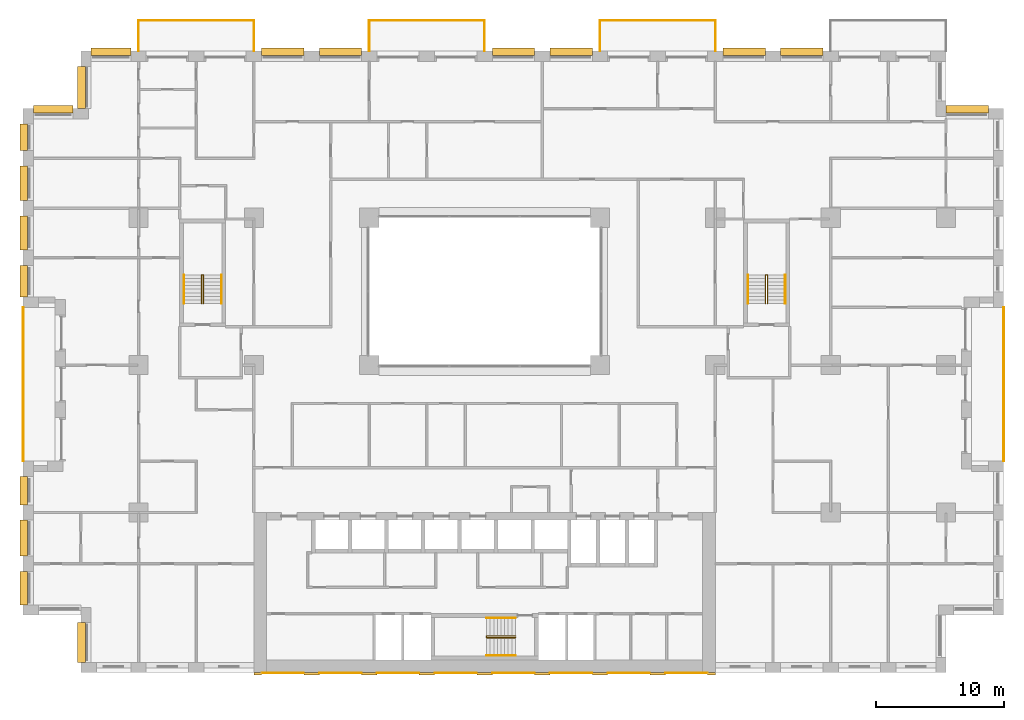
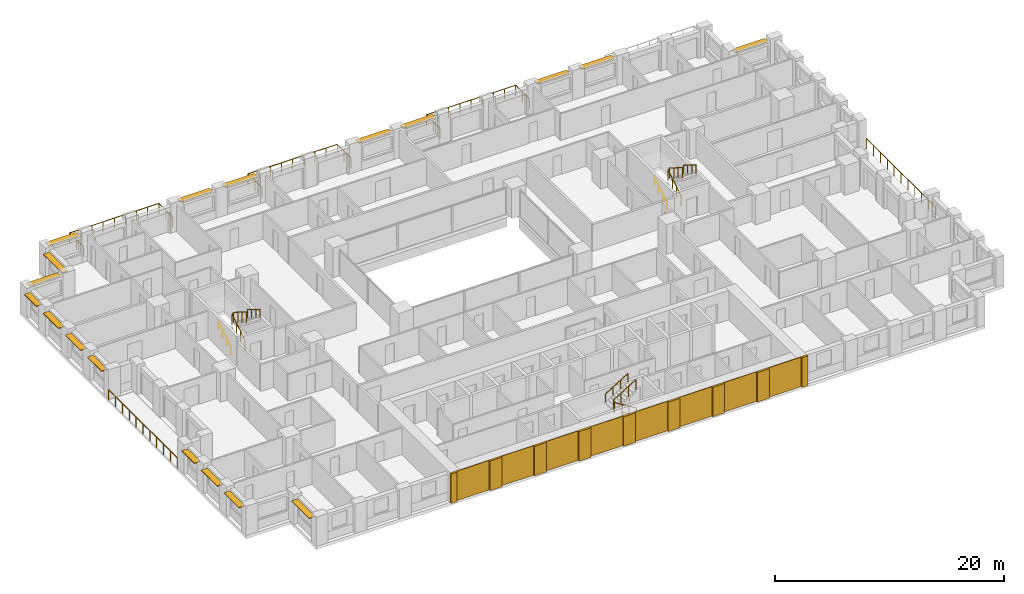
# One storey, part 19 of 20: 18 shading devices, 17 coverings, 14 railings.
"""IFC4 building model written with IfcOpenShell, lengths in metres."""

from ifc_helpers import new_model, si_unit, direction, frame, origin, origin_2d, place, context, subcontext, project, spatial, rectangle, circle, extrude, material, layer, layer_set, type_object, element, save


model = new_model("IFC4")

# Units and contexts
model_context = context("Model", 3, precision=1e-05, world=origin(), true_north=direction((0.0, 1.0)))
body_context = subcontext(model_context, "Body", "Model", "MODEL_VIEW")
ifc_project = project(units=[si_unit("LENGTHUNIT", "METRE"), si_unit("AREAUNIT", "SQUARE_METRE"), si_unit("VOLUMEUNIT", "CUBIC_METRE"), si_unit("PLANEANGLEUNIT", "RADIAN"), si_unit("MASSUNIT", "GRAM", prefix="KILO")], contexts=[model_context])

# Site, building, storey
site_placement = place(None, origin())
site = spatial("IfcSite", under=ifc_project, at=site_placement, CompositionType="ELEMENT")
building_placement = place(site_placement, origin())
building = spatial("IfcBuilding", under=site, at=building_placement, Name="Brigalow Station Residences", CompositionType="ELEMENT")
storey_placement = place(building_placement, frame((0.0, 0.0, 60.449951171875)))
storey = spatial("IfcBuildingStorey", under=building, at=storey_placement, Name="L17", CompositionType="ELEMENT", Elevation=60.449951171875)

# Railings
ifc_material_1 = material(Name="Stainless steel balustrade with laminated glass infill", Category="steel")
railing_type_1 = type_object("IfcRailingType", Name="BALCONY GUARD 1100", PredefinedType="GUARDRAIL", material=ifc_material_1)
railing_1_placement = place(storey_placement, frame((76.5, 16.5, -0.0400390625)))
element("IfcRailing", 1, at=railing_1_placement, inside=storey, type_object=railing_type_1, Name="L17/balcony-guard/1", PredefinedType="GUARDRAIL", context=body_context, shape_type="SweptSolid", body=[
    extrude(circle(Radius=0.02392578125, at=origin_2d()), frame((0.0, 0.0, 1.076171875), z_axis=(0.0, 1.0, 0.0), x_axis=(-1.0, 0.0, 0.0)), (0.0, 0.0, 1.0), 12.0),
    extrude(circle(Radius=0.02099609375, at=origin_2d()), origin(), (0.0, 0.0, 1.0), 1.052001953125),
    extrude(circle(Radius=0.02099609375, at=origin_2d()), frame((0.0, 1.199951171875, 0.0)), (0.0, 0.0, 1.0), 1.052001953125),
    extrude(circle(Radius=0.02099609375, at=origin_2d()), frame((0.0, 2.39990234375, 0.0)), (0.0, 0.0, 1.0), 1.052001953125),
    extrude(circle(Radius=0.02099609375, at=origin_2d()), frame((0.0, 3.60009765625, 0.0)), (0.0, 0.0, 1.0), 1.052001953125),
    extrude(circle(Radius=0.02099609375, at=origin_2d()), frame((0.0, 4.800048828125, 0.0)), (0.0, 0.0, 1.0), 1.052001953125),
    extrude(circle(Radius=0.02099609375, at=origin_2d()), frame((0.0, 6.0, 0.0)), (0.0, 0.0, 1.0), 1.052001953125),
    extrude(circle(Radius=0.02099609375, at=origin_2d()), frame((0.0, 7.199951171875, 0.0)), (0.0, 0.0, 1.0), 1.052001953125),
    extrude(circle(Radius=0.02099609375, at=origin_2d()), frame((0.0, 8.39990234375, 0.0)), (0.0, 0.0, 1.0), 1.052001953125),
    extrude(circle(Radius=0.02099609375, at=origin_2d()), frame((0.0, 9.60009765625, 0.0)), (0.0, 0.0, 1.0), 1.052001953125),
    extrude(circle(Radius=0.02099609375, at=origin_2d()), frame((0.0, 10.800048828125, 0.0)), (0.0, 0.0, 1.0), 1.052001953125),
    extrude(circle(Radius=0.02099609375, at=origin_2d()), frame((0.0, 12.0, 0.0)), (0.0, 0.0, 1.0), 1.052001953125),
])
railing_2_placement = place(storey_placement, frame((54.0, 48.5, -0.0400390625)))
element("IfcRailing", 2, at=railing_2_placement, inside=storey, type_object=railing_type_1, Name="L17/balcony-guard/3", PredefinedType="GUARDRAIL", context=body_context, shape_type="SweptSolid", body=[
    extrude(circle(Radius=0.02392578125, at=origin_2d()), frame((0.0, 0.0, 1.076171875), z_axis=(0.0, 1.0, 0.0), x_axis=(-1.0, 0.0, 0.0)), (0.0, 0.0, 1.0), 2.39990234375),
    extrude(circle(Radius=0.02392578125, at=origin_2d()), frame((0.0, 2.39990234375, 1.076171875), z_axis=(-1.0, 0.0, 0.0), x_axis=(0.0, -1.0, 0.0)), (0.0, 0.0, 1.0), 9.0),
    extrude(circle(Radius=0.02392578125, at=origin_2d()), frame((-9.0, 2.39990234375, 1.076171875), z_axis=(0.0, -1.0, 0.0), x_axis=(1.0, 0.0, 0.0)), (0.0, 0.0, 1.0), 2.39990234375),
    extrude(circle(Radius=0.02099609375, at=origin_2d()), origin(), (0.0, 0.0, 1.0), 1.052001953125),
    extrude(circle(Radius=0.02099609375, at=origin_2d()), frame((0.0, 1.199951171875, 0.0)), (0.0, 0.0, 1.0), 1.052001953125),
    extrude(circle(Radius=0.02099609375, at=origin_2d()), frame((0.0, 2.39990234375, 0.0)), (0.0, 0.0, 1.0), 1.052001953125),
    extrude(circle(Radius=0.02099609375, at=origin_2d()), frame((-1.125, 2.39990234375, 0.0)), (0.0, 0.0, 1.0), 1.052001953125),
    extrude(circle(Radius=0.02099609375, at=origin_2d()), frame((-2.25, 2.39990234375, 0.0)), (0.0, 0.0, 1.0), 1.052001953125),
    extrude(circle(Radius=0.02099609375, at=origin_2d()), frame((-3.375, 2.39990234375, 0.0)), (0.0, 0.0, 1.0), 1.052001953125),
    extrude(circle(Radius=0.02099609375, at=origin_2d()), frame((-4.5, 2.39990234375, 0.0)), (0.0, 0.0, 1.0), 1.052001953125),
    extrude(circle(Radius=0.02099609375, at=origin_2d()), frame((-5.625, 2.39990234375, 0.0)), (0.0, 0.0, 1.0), 1.052001953125),
    extrude(circle(Radius=0.02099609375, at=origin_2d()), frame((-6.75, 2.39990234375, 0.0)), (0.0, 0.0, 1.0), 1.052001953125),
    extrude(circle(Radius=0.02099609375, at=origin_2d()), frame((-7.875, 2.39990234375, 0.0)), (0.0, 0.0, 1.0), 1.052001953125),
    extrude(circle(Radius=0.02099609375, at=origin_2d()), frame((-9.0, 2.39990234375, 0.0)), (0.0, 0.0, 1.0), 1.052001953125),
    extrude(circle(Radius=0.02099609375, at=origin_2d()), frame((-9.0, 1.199951171875, 0.0)), (0.0, 0.0, 1.0), 1.052001953125),
    extrude(circle(Radius=0.02099609375, at=origin_2d()), frame((-9.0, 0.0, 0.0)), (0.0, 0.0, 1.0), 1.052001953125),
])
railing_3_placement = place(storey_placement, frame((36.0, 48.5, -0.0400390625)))
element("IfcRailing", 3, at=railing_3_placement, inside=storey, type_object=railing_type_1, Name="L17/balcony-guard/4", PredefinedType="GUARDRAIL", context=body_context, shape_type="SweptSolid", body=[
    extrude(circle(Radius=0.02392578125, at=origin_2d()), frame((0.0, 0.0, 1.076171875), z_axis=(0.0, 1.0, 0.0), x_axis=(-1.0, 0.0, 0.0)), (0.0, 0.0, 1.0), 2.39990234375),
    extrude(circle(Radius=0.02392578125, at=origin_2d()), frame((0.0, 2.39990234375, 1.076171875), z_axis=(-1.0, 0.0, 0.0), x_axis=(0.0, -1.0, 0.0)), (0.0, 0.0, 1.0), 9.0),
    extrude(circle(Radius=0.02392578125, at=origin_2d()), frame((-9.0, 2.39990234375, 1.076171875), z_axis=(0.0, -1.0, 0.0), x_axis=(1.0, 0.0, 0.0)), (0.0, 0.0, 1.0), 2.39990234375),
    extrude(circle(Radius=0.02099609375, at=origin_2d()), origin(), (0.0, 0.0, 1.0), 1.052001953125),
    extrude(circle(Radius=0.02099609375, at=origin_2d()), frame((0.0, 1.199951171875, 0.0)), (0.0, 0.0, 1.0), 1.052001953125),
    extrude(circle(Radius=0.02099609375, at=origin_2d()), frame((0.0, 2.39990234375, 0.0)), (0.0, 0.0, 1.0), 1.052001953125),
    extrude(circle(Radius=0.02099609375, at=origin_2d()), frame((-1.125, 2.39990234375, 0.0)), (0.0, 0.0, 1.0), 1.052001953125),
    extrude(circle(Radius=0.02099609375, at=origin_2d()), frame((-2.25, 2.39990234375, 0.0)), (0.0, 0.0, 1.0), 1.052001953125),
    extrude(circle(Radius=0.02099609375, at=origin_2d()), frame((-3.375, 2.39990234375, 0.0)), (0.0, 0.0, 1.0), 1.052001953125),
    extrude(circle(Radius=0.02099609375, at=origin_2d()), frame((-4.5, 2.39990234375, 0.0)), (0.0, 0.0, 1.0), 1.052001953125),
    extrude(circle(Radius=0.02099609375, at=origin_2d()), frame((-5.625, 2.39990234375, 0.0)), (0.0, 0.0, 1.0), 1.052001953125),
    extrude(circle(Radius=0.02099609375, at=origin_2d()), frame((-6.75, 2.39990234375, 0.0)), (0.0, 0.0, 1.0), 1.052001953125),
    extrude(circle(Radius=0.02099609375, at=origin_2d()), frame((-7.875, 2.39990234375, 0.0)), (0.0, 0.0, 1.0), 1.052001953125),
    extrude(circle(Radius=0.02099609375, at=origin_2d()), frame((-9.0, 2.39990234375, 0.0)), (0.0, 0.0, 1.0), 1.052001953125),
    extrude(circle(Radius=0.02099609375, at=origin_2d()), frame((-9.0, 1.199951171875, 0.0)), (0.0, 0.0, 1.0), 1.052001953125),
    extrude(circle(Radius=0.02099609375, at=origin_2d()), frame((-9.0, 0.0, 0.0)), (0.0, 0.0, 1.0), 1.052001953125),
])
railing_4_placement = place(storey_placement, frame((18.0, 48.5, -0.0400390625)))
element("IfcRailing", 4, at=railing_4_placement, inside=storey, type_object=railing_type_1, Name="L17/balcony-guard/5", PredefinedType="GUARDRAIL", context=body_context, shape_type="SweptSolid", body=[
    extrude(circle(Radius=0.02392578125, at=origin_2d()), frame((0.0, 0.0, 1.076171875), z_axis=(0.0, 1.0, 0.0), x_axis=(-1.0, 0.0, 0.0)), (0.0, 0.0, 1.0), 2.39990234375),
    extrude(circle(Radius=0.02392578125, at=origin_2d()), frame((0.0, 2.39990234375, 1.076171875), z_axis=(-1.0, 0.0, 0.0), x_axis=(0.0, -1.0, 0.0)), (0.0, 0.0, 1.0), 9.0),
    extrude(circle(Radius=0.02392578125, at=origin_2d()), frame((-9.0, 2.39990234375, 1.076171875), z_axis=(0.0, -1.0, 0.0), x_axis=(1.0, 0.0, 0.0)), (0.0, 0.0, 1.0), 2.39990234375),
    extrude(circle(Radius=0.02099609375, at=origin_2d()), origin(), (0.0, 0.0, 1.0), 1.052001953125),
    extrude(circle(Radius=0.02099609375, at=origin_2d()), frame((0.0, 1.199951171875, 0.0)), (0.0, 0.0, 1.0), 1.052001953125),
    extrude(circle(Radius=0.02099609375, at=origin_2d()), frame((0.0, 2.39990234375, 0.0)), (0.0, 0.0, 1.0), 1.052001953125),
    extrude(circle(Radius=0.02099609375, at=origin_2d()), frame((-1.125, 2.39990234375, 0.0)), (0.0, 0.0, 1.0), 1.052001953125),
    extrude(circle(Radius=0.02099609375, at=origin_2d()), frame((-2.25, 2.39990234375, 0.0)), (0.0, 0.0, 1.0), 1.052001953125),
    extrude(circle(Radius=0.02099609375, at=origin_2d()), frame((-3.375, 2.39990234375, 0.0)), (0.0, 0.0, 1.0), 1.052001953125),
    extrude(circle(Radius=0.02099609375, at=origin_2d()), frame((-4.5, 2.39990234375, 0.0)), (0.0, 0.0, 1.0), 1.052001953125),
    extrude(circle(Radius=0.02099609375, at=origin_2d()), frame((-5.625, 2.39990234375, 0.0)), (0.0, 0.0, 1.0), 1.052001953125),
    extrude(circle(Radius=0.02099609375, at=origin_2d()), frame((-6.75, 2.39990234375, 0.0)), (0.0, 0.0, 1.0), 1.052001953125),
    extrude(circle(Radius=0.02099609375, at=origin_2d()), frame((-7.875, 2.39990234375, 0.0)), (0.0, 0.0, 1.0), 1.052001953125),
    extrude(circle(Radius=0.02099609375, at=origin_2d()), frame((-9.0, 2.39990234375, 0.0)), (0.0, 0.0, 1.0), 1.052001953125),
    extrude(circle(Radius=0.02099609375, at=origin_2d()), frame((-9.0, 1.199951171875, 0.0)), (0.0, 0.0, 1.0), 1.052001953125),
    extrude(circle(Radius=0.02099609375, at=origin_2d()), frame((-9.0, 0.0, 0.0)), (0.0, 0.0, 1.0), 1.052001953125),
])
railing_5_placement = place(storey_placement, frame((0.0, 28.5, -0.0400390625)))
element("IfcRailing", 5, at=railing_5_placement, inside=storey, type_object=railing_type_1, Name="L17/balcony-guard/6", PredefinedType="GUARDRAIL", context=body_context, shape_type="SweptSolid", body=[
    extrude(circle(Radius=0.02392578125, at=origin_2d()), frame((0.0, 0.0, 1.076171875), z_axis=(0.0, -1.0, 0.0), x_axis=(1.0, 0.0, 0.0)), (0.0, 0.0, 1.0), 12.0),
    extrude(circle(Radius=0.02099609375, at=origin_2d()), origin(), (0.0, 0.0, 1.0), 1.052001953125),
    extrude(circle(Radius=0.02099609375, at=origin_2d()), frame((0.0, -1.199951171875, 0.0)), (0.0, 0.0, 1.0), 1.052001953125),
    extrude(circle(Radius=0.02099609375, at=origin_2d()), frame((0.0, -2.39990234375, 0.0)), (0.0, 0.0, 1.0), 1.052001953125),
    extrude(circle(Radius=0.02099609375, at=origin_2d()), frame((0.0, -3.60009765625, 0.0)), (0.0, 0.0, 1.0), 1.052001953125),
    extrude(circle(Radius=0.02099609375, at=origin_2d()), frame((0.0, -4.800048828125, 0.0)), (0.0, 0.0, 1.0), 1.052001953125),
    extrude(circle(Radius=0.02099609375, at=origin_2d()), frame((0.0, -6.0, 0.0)), (0.0, 0.0, 1.0), 1.052001953125),
    extrude(circle(Radius=0.02099609375, at=origin_2d()), frame((0.0, -7.199951171875, 0.0)), (0.0, 0.0, 1.0), 1.052001953125),
    extrude(circle(Radius=0.02099609375, at=origin_2d()), frame((0.0, -8.39990234375, 0.0)), (0.0, 0.0, 1.0), 1.052001953125),
    extrude(circle(Radius=0.02099609375, at=origin_2d()), frame((0.0, -9.60009765625, 0.0)), (0.0, 0.0, 1.0), 1.052001953125),
    extrude(circle(Radius=0.02099609375, at=origin_2d()), frame((0.0, -10.800048828125, 0.0)), (0.0, 0.0, 1.0), 1.052001953125),
    extrude(circle(Radius=0.02099609375, at=origin_2d()), frame((0.0, -12.0, 0.0)), (0.0, 0.0, 1.0), 1.052001953125),
])

# Coverings
ifc_material_2 = material(Name="Clay brick masonry", Category="masonry")
ifc_layer_1 = layer(ifc_material_2, 0.06005859375)
ifc_layer_set_1 = layer_set([ifc_layer_1], Name="BRICK PANEL FACING 60")
covering_type_1 = type_object("IfcCoveringType", Name="BRICK PANEL FACING 60", PredefinedType="CLADDING", material=ifc_layer_set_1)
for number, where, z_axis, x_axis, name in (
    (6, (20.25, -0.030029296875, 0.0), (0.0, 0.0, 1.0), (1.0, 0.0, 0.0), "L17/rear-facing/panel-1"),
    (7, (24.75, -0.030029296875, 0.0), (0.0, 0.0, 1.0), (1.0, 0.0, 0.0), "L17/rear-facing/panel-2"),
    (8, (29.25, -0.030029296875, 0.0), (0.0, 0.0, 1.0), (1.0, 0.0, 0.0), "L17/rear-facing/panel-3"),
    (9, (33.75, -0.030029296875, 0.0), (0.0, 0.0, 1.0), (1.0, 0.0, 0.0), "L17/rear-facing/panel-4"),
    (10, (38.25, -0.030029296875, 0.0), (0.0, 0.0, 1.0), (1.0, 0.0, 0.0), "L17/rear-facing/panel-5"),
    (11, (42.75, -0.030029296875, 0.0), (0.0, 0.0, 1.0), (1.0, 0.0, 0.0), "L17/rear-facing/panel-6"),
    (12, (47.25, -0.030029296875, 0.0), (0.0, 0.0, 1.0), (1.0, 0.0, 0.0), "L17/rear-facing/panel-7"),
    (13, (51.75, -0.030029296875, 0.0), (0.0, 0.0, 1.0), (1.0, 0.0, 0.0), "L17/rear-facing/panel-8"),
):
    element("IfcCovering", number, at=place(storey_placement, frame(where, z_axis=z_axis, x_axis=x_axis)), inside=storey, type_object=covering_type_1, Name=name, PredefinedType="CLADDING", context=body_context, shape_type="SweptSolid", body=[
        extrude(rectangle(XDim=3.300048828125, YDim=0.06005859375, at=origin_2d()), origin(), (0.0, 0.0, 1.0), 3.14990234375),
    ])
ifc_material_3 = material(Name="Clay brick masonry", Category="masonry")
ifc_layer_2 = layer(ifc_material_3, 0.199951171875)
ifc_layer_set_2 = layer_set([ifc_layer_2], Name="BRICK PIER FACING 200")
covering_type_2 = type_object("IfcCoveringType", Name="BRICK PIER FACING 200", PredefinedType="CLADDING", material=ifc_layer_set_2)
covering_1_placement = place(storey_placement, frame((18.300048828125, -0.10009765625, 0.0), z_axis=(0.0, 0.0, 1.0), x_axis=(1.0, 0.0, 0.0)))
element("IfcCovering", 14, at=covering_1_placement, inside=storey, type_object=covering_type_2, Name="L17/rear-facing/pier-1", PredefinedType="CLADDING", context=body_context, shape_type="SweptSolid", body=[
    extrude(rectangle(XDim=0.60009765625, YDim=0.199951171875, at=origin_2d()), origin(), (0.0, 0.0, 1.0), 3.14990234375),
])
for number, where, z_axis, x_axis, name in (
    (15, (22.5, -0.10009765625, 0.0), (0.0, 0.0, 1.0), (1.0, 0.0, 0.0), "L17/rear-facing/pier-2"),
    (16, (27.0, -0.10009765625, 0.0), (0.0, 0.0, 1.0), (1.0, 0.0, 0.0), "L17/rear-facing/pier-3"),
    (17, (31.5, -0.10009765625, 0.0), (0.0, 0.0, 1.0), (1.0, 0.0, 0.0), "L17/rear-facing/pier-4"),
    (18, (36.0, -0.10009765625, 0.0), (0.0, 0.0, 1.0), (1.0, 0.0, 0.0), "L17/rear-facing/pier-5"),
    (19, (40.5, -0.10009765625, 0.0), (0.0, 0.0, 1.0), (1.0, 0.0, 0.0), "L17/rear-facing/pier-6"),
    (20, (45.0, -0.10009765625, 0.0), (0.0, 0.0, 1.0), (1.0, 0.0, 0.0), "L17/rear-facing/pier-7"),
    (21, (49.5, -0.10009765625, 0.0), (0.0, 0.0, 1.0), (1.0, 0.0, 0.0), "L17/rear-facing/pier-8"),
):
    element("IfcCovering", number, at=place(storey_placement, frame(where, z_axis=z_axis, x_axis=x_axis)), inside=storey, type_object=covering_type_2, Name=name, PredefinedType="CLADDING", context=body_context, shape_type="SweptSolid", body=[
        extrude(rectangle(XDim=1.199951171875, YDim=0.199951171875, at=origin_2d()), origin(), (0.0, 0.0, 1.0), 3.14990234375),
    ])
covering_2_placement = place(storey_placement, frame((53.699951171875, -0.10009765625, 0.0), z_axis=(0.0, 0.0, 1.0), x_axis=(1.0, 0.0, 0.0)))
element("IfcCovering", 22, at=covering_2_placement, inside=storey, type_object=covering_type_2, Name="L17/rear-facing/pier-9", PredefinedType="CLADDING", context=body_context, shape_type="SweptSolid", body=[
    extrude(rectangle(XDim=0.60009765625, YDim=0.199951171875, at=origin_2d()), origin(), (0.0, 0.0, 1.0), 3.14990234375),
])

# Railings
ifc_material_4 = material(Name="Stainless steel balustrade", Category="steel")
railing_type_2 = type_object("IfcRailingType", Name="STAIR GUARD 1100", PredefinedType="GUARDRAIL", material=ifc_material_4)
railing_6_placement = place(storey_placement, frame((38.39990234375, 2.72998046875, 0.175048828125)))
element("IfcRailing", 23, at=railing_6_placement, inside=storey, type_object=railing_type_2, Name="GUARD GR-2", PredefinedType="GUARDRAIL", context=body_context, shape_type="SweptSolid", body=[
    extrude(circle(Radius=0.02392578125, at=origin_2d()), frame((0.0, 0.0, 1.076171875), z_axis=(-0.848013881152, 0.0, 0.529974015752), x_axis=(0.0, -1.0, 0.0)), (0.0, 0.0, 1.0), 2.641357421875),
    extrude(circle(Radius=0.02392578125, at=origin_2d()), frame((-2.239990234375, 0.0, 2.47607421875), z_axis=(0.0, 0.624960567888, 0.780656319122), x_axis=(-1.0, 0.0, 0.0)), (0.0, 0.0, 1.0), 0.22412109375),
    extrude(circle(Radius=0.02392578125, at=origin_2d()), frame((-2.239990234375, 0.14013671875, 2.65087890625), z_axis=(0.847972341737, 0.0, 0.530040477369), x_axis=(0.0, 1.0, 0.0)), (0.0, 0.0, 1.0), 2.6416015625),
    extrude(circle(Radius=0.02099609375, at=origin_2d()), origin(), (0.0, 0.0, 1.0), 1.052001953125),
    extrude(circle(Radius=0.02099609375, at=origin_2d()), frame((-0.74658203125, 0.0, 0.466552734375)), (0.0, 0.0, 1.0), 1.052001953125),
    extrude(circle(Radius=0.02099609375, at=origin_2d()), frame((-1.493408203125, 0.0, 0.933349609375)), (0.0, 0.0, 1.0), 1.052001953125),
    extrude(circle(Radius=0.02099609375, at=origin_2d()), frame((-2.239990234375, 0.0, 1.39990234375)), (0.0, 0.0, 1.0), 1.052001953125),
    extrude(circle(Radius=0.02099609375, at=origin_2d()), frame((-2.239990234375, 0.14013671875, 1.574951171875)), (0.0, 0.0, 1.0), 1.052001953125),
    extrude(circle(Radius=0.02099609375, at=origin_2d()), frame((-1.493408203125, 0.14013671875, 2.041748046875)), (0.0, 0.0, 1.0), 1.052001953125),
    extrude(circle(Radius=0.02099609375, at=origin_2d()), frame((-0.74658203125, 0.14013671875, 2.50830078125)), (0.0, 0.0, 1.0), 1.052001953125),
    extrude(circle(Radius=0.02099609375, at=origin_2d()), frame((0.0, 0.14013671875, 2.97509765625)), (0.0, 0.0, 1.0), 1.052001953125),
])
for number, where, name in (
    (24, (13.929931640625, 28.800048828125, 0.175048828125), "GUARD GR-1"),
    (25, (57.929931640625, 28.800048828125, 0.175048828125), "GUARD GR-3"),
):
    element("IfcRailing", number, at=place(storey_placement, frame(where)), inside=storey, type_object=railing_type_2, Name=name, PredefinedType="GUARDRAIL", context=body_context, shape_type="SweptSolid", body=[
        extrude(circle(Radius=0.02392578125, at=origin_2d()), frame((0.0, 0.0, 1.076171875), z_axis=(0.0, 0.848013881152, 0.529974015752), x_axis=(-1.0, 0.0, 0.0)), (0.0, 0.0, 1.0), 2.641357421875),
        extrude(circle(Radius=0.02392578125, at=origin_2d()), frame((0.0, 2.239990234375, 2.47607421875), z_axis=(0.624960567888, 0.0, 0.780656319122), x_axis=(0.0, 1.0, 0.0)), (0.0, 0.0, 1.0), 0.22412109375),
        extrude(circle(Radius=0.02392578125, at=origin_2d()), frame((0.14013671875, 2.239990234375, 2.65087890625), z_axis=(0.0, -0.847972341737, 0.530040477369), x_axis=(1.0, 0.0, 0.0)), (0.0, 0.0, 1.0), 2.6416015625),
        extrude(circle(Radius=0.02099609375, at=origin_2d()), origin(), (0.0, 0.0, 1.0), 1.052001953125),
        extrude(circle(Radius=0.02099609375, at=origin_2d()), frame((0.0, 0.74658203125, 0.466552734375)), (0.0, 0.0, 1.0), 1.052001953125),
        extrude(circle(Radius=0.02099609375, at=origin_2d()), frame((0.0, 1.493408203125, 0.933349609375)), (0.0, 0.0, 1.0), 1.052001953125),
        extrude(circle(Radius=0.02099609375, at=origin_2d()), frame((0.0, 2.239990234375, 1.39990234375)), (0.0, 0.0, 1.0), 1.052001953125),
        extrude(circle(Radius=0.02099609375, at=origin_2d()), frame((0.14013671875, 2.239990234375, 1.574951171875)), (0.0, 0.0, 1.0), 1.052001953125),
        extrude(circle(Radius=0.02099609375, at=origin_2d()), frame((0.14013671875, 1.493408203125, 2.041748046875)), (0.0, 0.0, 1.0), 1.052001953125),
        extrude(circle(Radius=0.02099609375, at=origin_2d()), frame((0.14013671875, 0.74658203125, 2.50830078125)), (0.0, 0.0, 1.0), 1.052001953125),
        extrude(circle(Radius=0.02099609375, at=origin_2d()), frame((0.14013671875, 0.0, 2.97509765625)), (0.0, 0.0, 1.0), 1.052001953125),
    ])
ifc_material_5 = material(Name="Stainless steel handrail", Category="steel")
railing_type_3 = type_object("IfcRailingType", Name="STAIR HANDRAIL 900", PredefinedType="HANDRAIL", material=ifc_material_5)
railing_7_placement = place(storey_placement, frame((38.39990234375, 1.340087890625, 0.175048828125)))
element("IfcRailing", 26, at=railing_7_placement, inside=storey, type_object=railing_type_3, Name="HANDRAIL HR-21", PredefinedType="HANDRAIL", context=body_context, shape_type="SweptSolid", body=[
    extrude(circle(Radius=0.02392578125, at=origin_2d()), frame((0.0, 0.0, 0.8759765625), z_axis=(-0.848013881152, 0.0, 0.529974015752), x_axis=(0.0, -1.0, 0.0)), (0.0, 0.0, 1.0), 2.641357421875),
    extrude(circle(Radius=0.02099609375, at=origin_2d()), origin(), (0.0, 0.0, 1.0), 0.851806640625),
    extrude(circle(Radius=0.02099609375, at=origin_2d()), frame((-0.74658203125, 0.0, 0.466552734375)), (0.0, 0.0, 1.0), 0.851806640625),
    extrude(circle(Radius=0.02099609375, at=origin_2d()), frame((-1.493408203125, 0.0, 0.933349609375)), (0.0, 0.0, 1.0), 0.851806640625),
    extrude(circle(Radius=0.02099609375, at=origin_2d()), frame((-2.239990234375, 0.0, 1.39990234375)), (0.0, 0.0, 1.0), 0.851806640625),
])
railing_8_placement = place(storey_placement, frame((36.159912109375, 4.260009765625, 1.75)))
element("IfcRailing", 27, at=railing_8_placement, inside=storey, type_object=railing_type_3, Name="HANDRAIL HR-22", PredefinedType="HANDRAIL", context=body_context, shape_type="SweptSolid", body=[
    extrude(circle(Radius=0.02392578125, at=origin_2d()), frame((0.0, 0.0, 0.8759765625), z_axis=(0.847972341737, 0.0, 0.530040477369), x_axis=(0.0, 1.0, 0.0)), (0.0, 0.0, 1.0), 2.6416015625),
    extrude(circle(Radius=0.02099609375, at=origin_2d()), origin(), (0.0, 0.0, 1.0), 0.851806640625),
    extrude(circle(Radius=0.02099609375, at=origin_2d()), frame((0.74658203125, 0.0, 0.466796875)), (0.0, 0.0, 1.0), 0.851806640625),
    extrude(circle(Radius=0.02099609375, at=origin_2d()), frame((1.493408203125, 0.0, 0.933349609375)), (0.0, 0.0, 1.0), 0.851806640625),
    extrude(circle(Radius=0.02099609375, at=origin_2d()), frame((2.239990234375, 0.0, 1.400146484375)), (0.0, 0.0, 1.0), 0.851806640625),
])
railing_9_placement = place(storey_placement, frame((12.5400390625, 28.800048828125, 0.175048828125)))
element("IfcRailing", 28, at=railing_9_placement, inside=storey, type_object=railing_type_3, Name="HANDRAIL HR-11", PredefinedType="HANDRAIL", context=body_context, shape_type="SweptSolid", body=[
    extrude(circle(Radius=0.02392578125, at=origin_2d()), frame((0.0, 0.0, 0.8759765625), z_axis=(0.0, 0.848013881152, 0.529974015752), x_axis=(-1.0, 0.0, 0.0)), (0.0, 0.0, 1.0), 2.641357421875),
    extrude(circle(Radius=0.02099609375, at=origin_2d()), origin(), (0.0, 0.0, 1.0), 0.851806640625),
    extrude(circle(Radius=0.02099609375, at=origin_2d()), frame((0.0, 0.74658203125, 0.466552734375)), (0.0, 0.0, 1.0), 0.851806640625),
    extrude(circle(Radius=0.02099609375, at=origin_2d()), frame((0.0, 1.493408203125, 0.933349609375)), (0.0, 0.0, 1.0), 0.851806640625),
    extrude(circle(Radius=0.02099609375, at=origin_2d()), frame((0.0, 2.239990234375, 1.39990234375)), (0.0, 0.0, 1.0), 0.851806640625),
])
railing_10_placement = place(storey_placement, frame((15.4599609375, 31.0400390625, 1.75)))
element("IfcRailing", 29, at=railing_10_placement, inside=storey, type_object=railing_type_3, Name="HANDRAIL HR-12", PredefinedType="HANDRAIL", context=body_context, shape_type="SweptSolid", body=[
    extrude(circle(Radius=0.02392578125, at=origin_2d()), frame((0.0, 0.0, 0.8759765625), z_axis=(0.0, -0.847972341737, 0.530040477369), x_axis=(1.0, 0.0, 0.0)), (0.0, 0.0, 1.0), 2.6416015625),
    extrude(circle(Radius=0.02099609375, at=origin_2d()), origin(), (0.0, 0.0, 1.0), 0.851806640625),
    extrude(circle(Radius=0.02099609375, at=origin_2d()), frame((0.0, -0.74658203125, 0.466796875)), (0.0, 0.0, 1.0), 0.851806640625),
    extrude(circle(Radius=0.02099609375, at=origin_2d()), frame((0.0, -1.493408203125, 0.933349609375)), (0.0, 0.0, 1.0), 0.851806640625),
    extrude(circle(Radius=0.02099609375, at=origin_2d()), frame((0.0, -2.239990234375, 1.400146484375)), (0.0, 0.0, 1.0), 0.851806640625),
])
railing_11_placement = place(storey_placement, frame((56.5400390625, 28.800048828125, 0.175048828125)))
element("IfcRailing", 30, at=railing_11_placement, inside=storey, type_object=railing_type_3, Name="HANDRAIL HR-31", PredefinedType="HANDRAIL", context=body_context, shape_type="SweptSolid", body=[
    extrude(circle(Radius=0.02392578125, at=origin_2d()), frame((0.0, 0.0, 0.8759765625), z_axis=(0.0, 0.848013881152, 0.529974015752), x_axis=(-1.0, 0.0, 0.0)), (0.0, 0.0, 1.0), 2.641357421875),
    extrude(circle(Radius=0.02099609375, at=origin_2d()), origin(), (0.0, 0.0, 1.0), 0.851806640625),
    extrude(circle(Radius=0.02099609375, at=origin_2d()), frame((0.0, 0.74658203125, 0.466552734375)), (0.0, 0.0, 1.0), 0.851806640625),
    extrude(circle(Radius=0.02099609375, at=origin_2d()), frame((0.0, 1.493408203125, 0.933349609375)), (0.0, 0.0, 1.0), 0.851806640625),
    extrude(circle(Radius=0.02099609375, at=origin_2d()), frame((0.0, 2.239990234375, 1.39990234375)), (0.0, 0.0, 1.0), 0.851806640625),
])
railing_12_placement = place(storey_placement, frame((59.4599609375, 31.0400390625, 1.75)))
element("IfcRailing", 31, at=railing_12_placement, inside=storey, type_object=railing_type_3, Name="HANDRAIL HR-32", PredefinedType="HANDRAIL", context=body_context, shape_type="SweptSolid", body=[
    extrude(circle(Radius=0.02392578125, at=origin_2d()), frame((0.0, 0.0, 0.8759765625), z_axis=(0.0, -0.847972341737, 0.530040477369), x_axis=(1.0, 0.0, 0.0)), (0.0, 0.0, 1.0), 2.6416015625),
    extrude(circle(Radius=0.02099609375, at=origin_2d()), origin(), (0.0, 0.0, 1.0), 0.851806640625),
    extrude(circle(Radius=0.02099609375, at=origin_2d()), frame((0.0, -0.74658203125, 0.466796875)), (0.0, 0.0, 1.0), 0.851806640625),
    extrude(circle(Radius=0.02099609375, at=origin_2d()), frame((0.0, -1.493408203125, 0.933349609375)), (0.0, 0.0, 1.0), 0.851806640625),
    extrude(circle(Radius=0.02099609375, at=origin_2d()), frame((0.0, -2.239990234375, 1.400146484375)), (0.0, 0.0, 1.0), 0.851806640625),
])

# Shading devices
ifc_material_6 = material(Name="Powder-coated extruded aluminium blade", Category="aluminium")
ifc_layer_3 = layer(ifc_material_6, 0.080078125)
ifc_layer_set_3 = layer_set([ifc_layer_3], Name="SUNSHADE BLADE 600x80")
shading_device_type = type_object("IfcShadingDeviceType", Name="SUNSHADE BLADE 600x80", PredefinedType="JALOUSIE", material=ifc_layer_set_3)
for number, where, z_axis, x_axis, name in (
    (32, (73.64990234375, 43.949951171875, 2.550048828125), (0.0, 0.0, 1.0), (-1.0, 0.0, 0.0), "L17/blade/W-L17-23"),
    (33, (60.75, 48.449951171875, 2.550048828125), (0.0, 0.0, 1.0), (-1.0, 0.0, 0.0), "L17/blade/W-L17-27"),
    (34, (56.25, 48.449951171875, 2.550048828125), (0.0, 0.0, 1.0), (-1.0, 0.0, 0.0), "L17/blade/W-L17-28"),
    (35, (42.75, 48.449951171875, 2.550048828125), (0.0, 0.0, 1.0), (-1.0, 0.0, 0.0), "L17/blade/W-L17-31"),
    (36, (38.25, 48.449951171875, 2.550048828125), (0.0, 0.0, 1.0), (-1.0, 0.0, 0.0), "L17/blade/W-L17-32"),
    (37, (24.75, 48.449951171875, 2.550048828125), (0.0, 0.0, 1.0), (-1.0, 0.0, 0.0), "L17/blade/W-L17-35"),
    (38, (20.25, 48.449951171875, 2.550048828125), (0.0, 0.0, 1.0), (-1.0, 0.0, 0.0), "L17/blade/W-L17-36"),
):
    element("IfcShadingDevice", number, at=place(storey_placement, frame(where, z_axis=z_axis, x_axis=x_axis)), inside=storey, type_object=shading_device_type, Name=name, PredefinedType="JALOUSIE", context=body_context, shape_type="SweptSolid", body=[
        extrude(rectangle(XDim=3.300048828125, YDim=0.60009765625, at=origin_2d()), origin(), (0.0, 0.0, 1.0), 0.080078125),
    ])
shading_device_1_placement = place(storey_placement, frame((6.85009765625, 48.449951171875, 2.550048828125), z_axis=(0.0, 0.0, 1.0), x_axis=(-1.0, 0.0, 0.0)))
element("IfcShadingDevice", 39, at=shading_device_1_placement, inside=storey, type_object=shading_device_type, Name="L17/blade/W-L17-39", PredefinedType="JALOUSIE", context=body_context, shape_type="SweptSolid", body=[
    extrude(rectangle(XDim=3.10009765625, YDim=0.60009765625, at=origin_2d()), origin(), (0.0, 0.0, 1.0), 0.080078125),
])
shading_device_2_placement = place(storey_placement, frame((4.550048828125, 45.64990234375, 2.550048828125), z_axis=(0.0, 0.0, 1.0), x_axis=(0.0, -1.0, 0.0)))
element("IfcShadingDevice", 40, at=shading_device_2_placement, inside=storey, type_object=shading_device_type, Name="L17/blade/W-L17-40", PredefinedType="JALOUSIE", context=body_context, shape_type="SweptSolid", body=[
    extrude(rectangle(XDim=3.300048828125, YDim=0.60009765625, at=origin_2d()), origin(), (0.0, 0.0, 1.0), 0.080078125),
])
shading_device_3_placement = place(storey_placement, frame((2.35009765625, 43.949951171875, 2.550048828125), z_axis=(0.0, 0.0, 1.0), x_axis=(-1.0, 0.0, 0.0)))
element("IfcShadingDevice", 41, at=shading_device_3_placement, inside=storey, type_object=shading_device_type, Name="L17/blade/W-L17-41", PredefinedType="JALOUSIE", context=body_context, shape_type="SweptSolid", body=[
    extrude(rectangle(XDim=3.10009765625, YDim=0.60009765625, at=origin_2d()), origin(), (0.0, 0.0, 1.0), 0.080078125),
])
shading_device_4_placement = place(storey_placement, frame((0.050048828125, 41.762451171875, 2.550048828125), z_axis=(0.0, 0.0, 1.0), x_axis=(0.0, -1.0, 0.0)))
element("IfcShadingDevice", 42, at=shading_device_4_placement, inside=storey, type_object=shading_device_type, Name="L17/blade/W-L17-42", PredefinedType="JALOUSIE", context=body_context, shape_type="SweptSolid", body=[
    extrude(rectangle(XDim=2.074951171875, YDim=0.60009765625, at=origin_2d()), origin(), (0.0, 0.0, 1.0), 0.080078125),
])
for number, where, z_axis, x_axis, name in (
    (43, (0.050048828125, 38.1875, 2.550048828125), (0.0, 0.0, 1.0), (0.0, -1.0, 0.0), "L17/blade/W-L17-43"),
    (44, (0.050048828125, 34.3125, 2.550048828125), (0.0, 0.0, 1.0), (0.0, -1.0, 0.0), "L17/blade/W-L17-44"),
):
    element("IfcShadingDevice", number, at=place(storey_placement, frame(where, z_axis=z_axis, x_axis=x_axis)), inside=storey, type_object=shading_device_type, Name=name, PredefinedType="JALOUSIE", context=body_context, shape_type="SweptSolid", body=[
        extrude(rectangle(XDim=2.675048828125, YDim=0.60009765625, at=origin_2d()), origin(), (0.0, 0.0, 1.0), 0.080078125),
    ])
shading_device_5_placement = place(storey_placement, frame((0.050048828125, 30.53759765625, 2.550048828125), z_axis=(0.0, 0.0, 1.0), x_axis=(0.0, -1.0, 0.0)))
element("IfcShadingDevice", 45, at=shading_device_5_placement, inside=storey, type_object=shading_device_type, Name="L17/blade/W-L17-45", PredefinedType="JALOUSIE", context=body_context, shape_type="SweptSolid", body=[
    extrude(rectangle(XDim=2.47509765625, YDim=0.60009765625, at=origin_2d()), origin(), (0.0, 0.0, 1.0), 0.080078125),
])
shading_device_6_placement = place(storey_placement, frame((0.050048828125, 14.199951171875, 2.550048828125), z_axis=(0.0, 0.0, 1.0), x_axis=(0.0, -1.0, 0.0)))
element("IfcShadingDevice", 46, at=shading_device_6_placement, inside=storey, type_object=shading_device_type, Name="L17/blade/W-L17-51", PredefinedType="JALOUSIE", context=body_context, shape_type="SweptSolid", body=[
    extrude(rectangle(XDim=2.199951171875, YDim=0.60009765625, at=origin_2d()), origin(), (0.0, 0.0, 1.0), 0.080078125),
])
shading_device_7_placement = place(storey_placement, frame((0.050048828125, 10.5, 2.550048828125), z_axis=(0.0, 0.0, 1.0), x_axis=(0.0, -1.0, 0.0)))
element("IfcShadingDevice", 47, at=shading_device_7_placement, inside=storey, type_object=shading_device_type, Name="L17/blade/W-L17-52", PredefinedType="JALOUSIE", context=body_context, shape_type="SweptSolid", body=[
    extrude(rectangle(XDim=2.800048828125, YDim=0.60009765625, at=origin_2d()), origin(), (0.0, 0.0, 1.0), 0.080078125),
])
shading_device_8_placement = place(storey_placement, frame((0.050048828125, 6.60009765625, 2.550048828125), z_axis=(0.0, 0.0, 1.0), x_axis=(0.0, -1.0, 0.0)))
element("IfcShadingDevice", 48, at=shading_device_8_placement, inside=storey, type_object=shading_device_type, Name="L17/blade/W-L17-53", PredefinedType="JALOUSIE", context=body_context, shape_type="SweptSolid", body=[
    extrude(rectangle(XDim=2.60009765625, YDim=0.60009765625, at=origin_2d()), origin(), (0.0, 0.0, 1.0), 0.080078125),
])
shading_device_9_placement = place(storey_placement, frame((4.550048828125, 2.35009765625, 2.550048828125), z_axis=(0.0, 0.0, 1.0), x_axis=(0.0, -1.0, 0.0)))
element("IfcShadingDevice", 49, at=shading_device_9_placement, inside=storey, type_object=shading_device_type, Name="L17/blade/W-L17-55", PredefinedType="JALOUSIE", context=body_context, shape_type="SweptSolid", body=[
    extrude(rectangle(XDim=3.10009765625, YDim=0.60009765625, at=origin_2d()), origin(), (0.0, 0.0, 1.0), 0.080078125),
])

save(model, "model.ifc")
